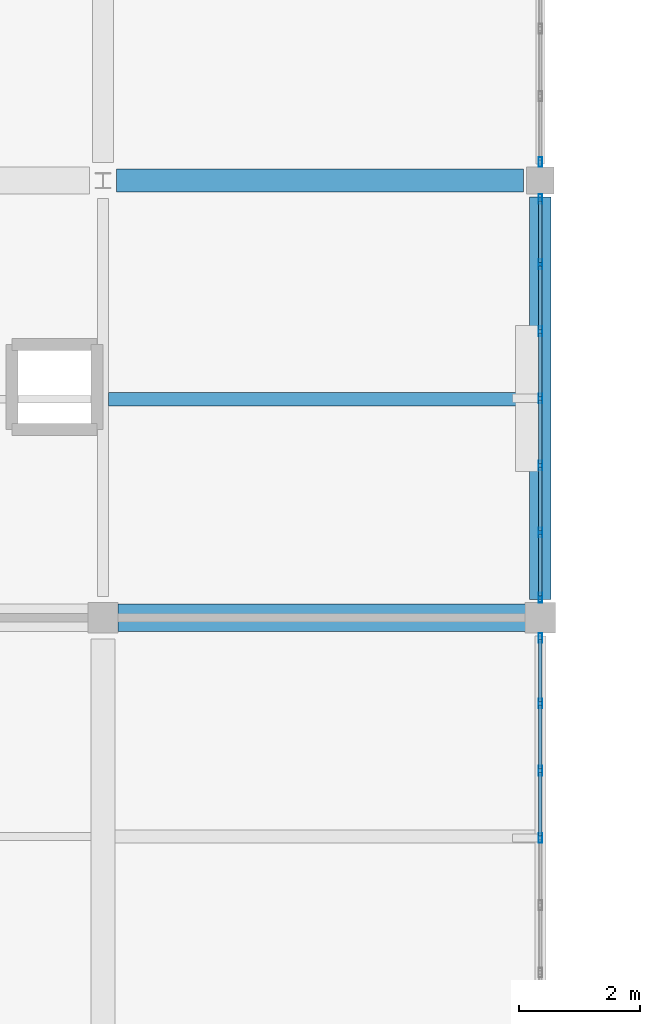
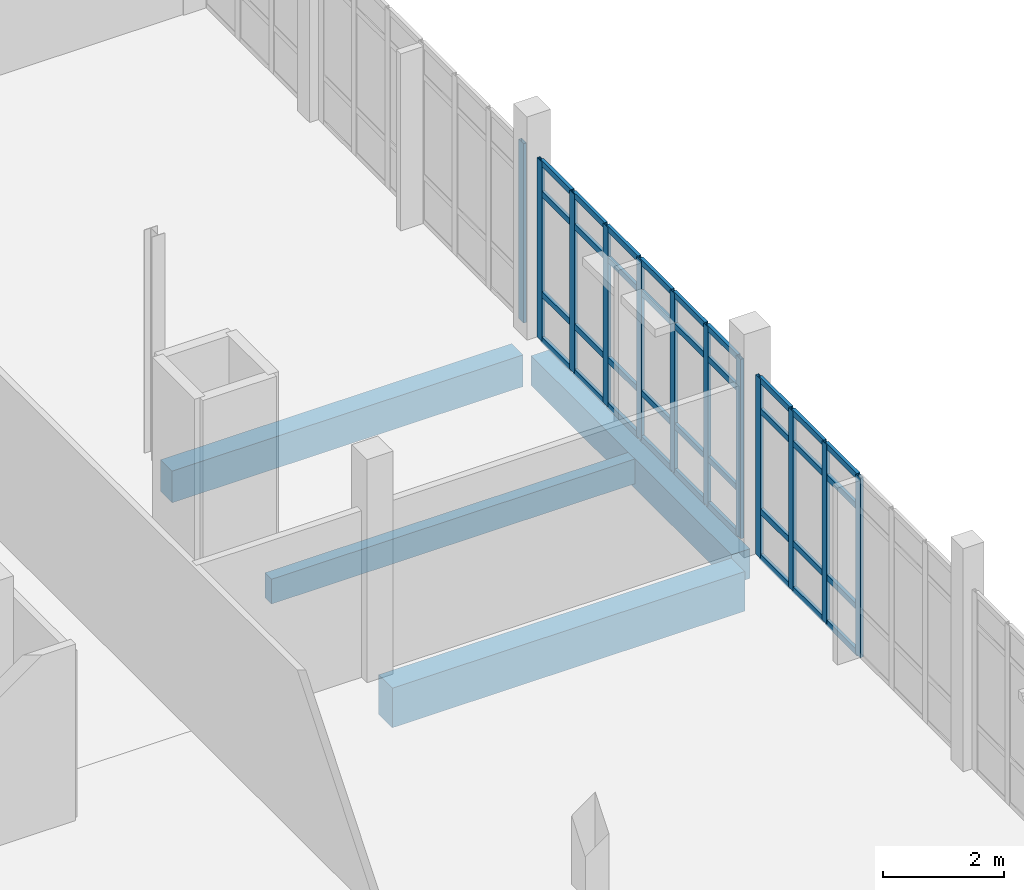
# One storey, part 16 of 62: 48 members, 4 beams, 3 elements without a shape of their own.
"""IFC4 building model written with IfcOpenShell, lengths in metres."""

from ifc_helpers import new_model, si_unit, direction, frame, origin, origin_2d, place, context, subcontext, project, spatial, rectangle, hollow_rectangle, extrude, material, material_profile, profile_set, type_object, element, aggregate, save


model = new_model("IFC4")

# Units and contexts
model_context = context("Model", 3, precision=1e-05, world=origin(), true_north=direction((0.0, 1.0)))
body_context = subcontext(model_context, "Body", "Model", "MODEL_VIEW")
ifc_project = project(units=[si_unit("LENGTHUNIT", "METRE"), si_unit("AREAUNIT", "SQUARE_METRE"), si_unit("VOLUMEUNIT", "CUBIC_METRE"), si_unit("PLANEANGLEUNIT", "RADIAN"), si_unit("MASSUNIT", "GRAM", prefix="KILO")], contexts=[model_context])

# Site, building, storey
site_placement = place(None, origin())
site = spatial("IfcSite", under=ifc_project, at=site_placement, CompositionType="ELEMENT")
building_placement = place(site_placement, origin())
building = spatial("IfcBuilding", under=site, at=building_placement, Name="Kalluvel Institute of Natural Sciences", CompositionType="ELEMENT")
storey_placement = place(building_placement, frame((0.0, 0.0, 27.89990234375)))
storey = spatial("IfcBuildingStorey", under=building, at=storey_placement, Name="L06", CompositionType="ELEMENT", Elevation=27.89990234375)

# Beams
ifc_material_1 = material(Name="Concrete M40", Category="concrete")
ifc_material_profile_1 = material_profile(ifc_material_1, rectangle(XDim=0.35009765625, YDim=0.60009765625, at=origin_2d()), Name="RCB 350x600")
ifc_profile_set_1 = profile_set([ifc_material_profile_1], Name="Concrete M40")
beam_type_1 = type_object("IfcBeamType", Name="BM-RC350x600", PredefinedType="BEAM", material=ifc_profile_set_1)
beam_1_placement = place(storey_placement, frame((35.60009765625, 64.699951171875, -0.599853515625), z_axis=(0.0, 1.0, 0.0), x_axis=(-1.0, 0.0, 0.0)))
element("IfcBeam", 1, at=beam_1_placement, inside=storey, type_object=beam_type_1, Name="L06 girder GIR-L06-NS-X356-Y644", PredefinedType="BEAM", context=body_context, shape_type="SweptSolid", body=[
    extrude(rectangle(XDim=0.35009765625, YDim=0.60009765625, at=origin_2d()), origin(), (0.0, 0.0, 1.0), 6.625),
])
ifc_material_profile_2 = material_profile(ifc_material_1, rectangle(XDim=0.3798828125, YDim=0.639892578125, at=origin_2d()), Name="RCB 380x640")
ifc_profile_set_2 = profile_set([ifc_material_profile_2], Name="Concrete M40")
beam_type_2 = type_object("IfcBeamType", Name="BM-RC380x640", PredefinedType="BEAM", material=ifc_profile_set_2)
beam_2_placement = place(storey_placement, frame((28.625, 71.60009765625, -0.619873046875), z_axis=(1.0, 0.0, 0.0), x_axis=(0.0, 1.0, 0.0)))
element("IfcBeam", 2, at=beam_2_placement, inside=storey, type_object=beam_type_2, Name="L06 girder GIR-L06-EW-X284-Y716", PredefinedType="BEAM", context=body_context, shape_type="SweptSolid", body=[
    extrude(rectangle(XDim=0.3798828125, YDim=0.639892578125, at=origin_2d()), origin(), (0.0, 0.0, 1.0), 6.699951171875),
])
ifc_material_profile_3 = material_profile(ifc_material_1, rectangle(XDim=0.449951171875, YDim=0.800048828125, at=origin_2d()), Name="RCB 450x800")
ifc_profile_set_3 = profile_set([ifc_material_profile_3], Name="Concrete M40")
beam_type_3 = type_object("IfcBeamType", Name="BM-RC450x800", PredefinedType="BEAM", material=ifc_profile_set_3)
beam_3_placement = place(storey_placement, frame((28.64990234375, 64.39990234375, -0.699951171875), z_axis=(1.0, 0.0, 0.0), x_axis=(0.0, 1.0, 0.0)))
element("IfcBeam", 3, at=beam_3_placement, inside=storey, type_object=beam_type_3, Name="L06 girder GIR-L06-EW-X284-Y644", PredefinedType="BEAM", context=body_context, shape_type="SweptSolid", body=[
    extrude(rectangle(XDim=0.449951171875, YDim=0.800048828125, at=origin_2d()), origin(), (0.0, 0.0, 1.0), 6.72509765625),
])

# Curtain wall, members
ifc_material_2 = material(Name="Aluminium AW-6063 T6", Category="aluminium")
curtain_wall_type = type_object("IfcCurtainWallType", Name="CW-DRY-45", PredefinedType="USERDEFINED", material=ifc_material_2)
curtain_wall_1_placement = place(storey_placement, origin())
curtain_wall_1 = element("IfcCurtainWall", 4, at=curtain_wall_1_placement, inside=storey, type_object=curtain_wall_type, Name="L06 Gothic lancet curtain wall CWA-L06-X356-Y574", ObjectType="UNITISED LANCET FACADE", PredefinedType="USERDEFINED")
ifc_material_profile_4 = material_profile(ifc_material_2, hollow_rectangle(XDim=0.06005859375, YDim=0.159912109375, WallThickness=0.00390625, at=origin_2d()), Name="CWM 60x160")
ifc_profile_set_4 = profile_set([ifc_material_profile_4], Name="Aluminium AW-6063 T6")
member_type_1 = type_object("IfcMemberType", Name="CWM-60x160", PredefinedType="MULLION", material=ifc_profile_set_4)
member_1_placement = place(storey_placement, frame((35.60009765625, 60.77490234375, 0.0), z_axis=(0.0, 0.0, 1.0), x_axis=(-1.0, 0.0, 0.0)))
member_1 = element("IfcMember", 5, at=member_1_placement, type_object=member_type_1, Name="CW-03 mullion 4", PredefinedType="MULLION", context=body_context, shape_type="SweptSolid", body=[
    extrude(hollow_rectangle(XDim=0.06005859375, YDim=0.159912109375, WallThickness=0.00390625, at=origin_2d()), origin(), (0.0, 0.0, 1.0), 3.6201171875),
])
member_2_placement = place(storey_placement, frame((35.60009765625, 61.88330078125, 0.0), z_axis=(0.0, 0.0, 1.0), x_axis=(-1.0, 0.0, 0.0)))
member_2 = element("IfcMember", 6, at=member_2_placement, type_object=member_type_1, Name="CW-03 mullion 5", PredefinedType="MULLION", context=body_context, shape_type="SweptSolid", body=[
    extrude(hollow_rectangle(XDim=0.06005859375, YDim=0.159912109375, WallThickness=0.00390625, at=origin_2d()), origin(), (0.0, 0.0, 1.0), 3.6201171875),
])
member_3_placement = place(storey_placement, frame((35.60009765625, 62.99169921875, 0.0), z_axis=(0.0, 0.0, 1.0), x_axis=(-1.0, 0.0, 0.0)))
member_3 = element("IfcMember", 7, at=member_3_placement, type_object=member_type_1, Name="CW-03 mullion 6", PredefinedType="MULLION", context=body_context, shape_type="SweptSolid", body=[
    extrude(hollow_rectangle(XDim=0.06005859375, YDim=0.159912109375, WallThickness=0.00390625, at=origin_2d()), origin(), (0.0, 0.0, 1.0), 3.6201171875),
])
member_4_placement = place(storey_placement, frame((35.60009765625, 64.070068359375, 0.0), z_axis=(0.0, 0.0, 1.0), x_axis=(-1.0, 0.0, 0.0)))
member_4 = element("IfcMember", 8, at=member_4_placement, type_object=member_type_1, Name="CW-03 mullion 7", PredefinedType="MULLION", context=body_context, shape_type="SweptSolid", body=[
    extrude(hollow_rectangle(XDim=0.06005859375, YDim=0.159912109375, WallThickness=0.00390625, at=origin_2d()), origin(), (0.0, 0.0, 1.0), 3.6201171875),
])

curtain_wall_2_placement = place(storey_placement, origin())
curtain_wall_2 = element("IfcCurtainWall", 9, at=curtain_wall_2_placement, inside=storey, type_object=curtain_wall_type, Name="L06 Gothic lancet curtain wall CWA-L06-X356-Y647", ObjectType="UNITISED LANCET FACADE", PredefinedType="USERDEFINED")
member_5_placement = place(storey_placement, frame((35.60009765625, 64.72998046875, 0.0), z_axis=(0.0, 0.0, 1.0), x_axis=(-1.0, 0.0, 0.0)))
member_5 = element("IfcMember", 10, at=member_5_placement, type_object=member_type_1, Name="CW-03 mullion 1", PredefinedType="MULLION", context=body_context, shape_type="SweptSolid", body=[
    extrude(hollow_rectangle(XDim=0.06005859375, YDim=0.159912109375, WallThickness=0.00390625, at=origin_2d()), origin(), (0.0, 0.0, 1.0), 3.6201171875),
])
member_6_placement = place(storey_placement, frame((35.60009765625, 65.80419921875, 0.0), z_axis=(0.0, 0.0, 1.0), x_axis=(-1.0, 0.0, 0.0)))
member_6 = element("IfcMember", 11, at=member_6_placement, type_object=member_type_1, Name="CW-03 mullion 2", PredefinedType="MULLION", context=body_context, shape_type="SweptSolid", body=[
    extrude(hollow_rectangle(XDim=0.06005859375, YDim=0.159912109375, WallThickness=0.00390625, at=origin_2d()), origin(), (0.0, 0.0, 1.0), 3.6201171875),
])
member_7_placement = place(storey_placement, frame((35.60009765625, 66.908447265625, 0.0), z_axis=(0.0, 0.0, 1.0), x_axis=(-1.0, 0.0, 0.0)))
member_7 = element("IfcMember", 12, at=member_7_placement, type_object=member_type_1, Name="CW-03 mullion 3", PredefinedType="MULLION", context=body_context, shape_type="SweptSolid", body=[
    extrude(hollow_rectangle(XDim=0.06005859375, YDim=0.159912109375, WallThickness=0.00390625, at=origin_2d()), origin(), (0.0, 0.0, 1.0), 3.6201171875),
])
member_8_placement = place(storey_placement, frame((35.60009765625, 68.012451171875, 0.0), z_axis=(0.0, 0.0, 1.0), x_axis=(-1.0, 0.0, 0.0)))
member_8 = element("IfcMember", 13, at=member_8_placement, type_object=member_type_1, Name="CW-03 mullion 4", PredefinedType="MULLION", context=body_context, shape_type="SweptSolid", body=[
    extrude(hollow_rectangle(XDim=0.06005859375, YDim=0.159912109375, WallThickness=0.00390625, at=origin_2d()), origin(), (0.0, 0.0, 1.0), 3.6201171875),
])
member_9_placement = place(storey_placement, frame((35.60009765625, 69.11669921875, 0.0), z_axis=(0.0, 0.0, 1.0), x_axis=(-1.0, 0.0, 0.0)))
member_9 = element("IfcMember", 14, at=member_9_placement, type_object=member_type_1, Name="CW-03 mullion 5", PredefinedType="MULLION", context=body_context, shape_type="SweptSolid", body=[
    extrude(hollow_rectangle(XDim=0.06005859375, YDim=0.159912109375, WallThickness=0.00390625, at=origin_2d()), origin(), (0.0, 0.0, 1.0), 3.6201171875),
])
member_10_placement = place(storey_placement, frame((35.60009765625, 70.220947265625, 0.0), z_axis=(0.0, 0.0, 1.0), x_axis=(-1.0, 0.0, 0.0)))
member_10 = element("IfcMember", 15, at=member_10_placement, type_object=member_type_1, Name="CW-03 mullion 6", PredefinedType="MULLION", context=body_context, shape_type="SweptSolid", body=[
    extrude(hollow_rectangle(XDim=0.06005859375, YDim=0.159912109375, WallThickness=0.00390625, at=origin_2d()), origin(), (0.0, 0.0, 1.0), 3.6201171875),
])
member_11_placement = place(storey_placement, frame((35.60009765625, 71.294921875, 0.0), z_axis=(0.0, 0.0, 1.0), x_axis=(-1.0, 0.0, 0.0)))
member_11 = element("IfcMember", 16, at=member_11_placement, type_object=member_type_1, Name="CW-03 mullion 7", PredefinedType="MULLION", context=body_context, shape_type="SweptSolid", body=[
    extrude(hollow_rectangle(XDim=0.06005859375, YDim=0.159912109375, WallThickness=0.00390625, at=origin_2d()), origin(), (0.0, 0.0, 1.0), 3.6201171875),
])

# Curtain wall, member
curtain_wall_3_placement = place(storey_placement, origin())
curtain_wall_3 = element("IfcCurtainWall", 17, at=curtain_wall_3_placement, inside=storey, type_object=curtain_wall_type, Name="L06 Gothic lancet curtain wall CWA-L06-X356-Y719", ObjectType="UNITISED LANCET FACADE", PredefinedType="USERDEFINED")
member_12_placement = place(storey_placement, frame((35.60009765625, 71.905029296875, 0.0), z_axis=(0.0, 0.0, 1.0), x_axis=(-1.0, 0.0, 0.0)))
member_12 = element("IfcMember", 18, at=member_12_placement, type_object=member_type_1, Name="CW-03 mullion 1", PredefinedType="MULLION", context=body_context, shape_type="SweptSolid", body=[
    extrude(hollow_rectangle(XDim=0.06005859375, YDim=0.159912109375, WallThickness=0.00390625, at=origin_2d()), origin(), (0.0, 0.0, 1.0), 3.6201171875),
])
aggregate(curtain_wall_3, [member_12])

# Member
ifc_material_profile_5 = material_profile(ifc_material_2, hollow_rectangle(XDim=0.06005859375, YDim=0.1201171875, WallThickness=0.00390625, at=origin_2d()), Name="CWT 60x120")
ifc_profile_set_5 = profile_set([ifc_material_profile_5], Name="Aluminium AW-6063 T6")
member_type_2 = type_object("IfcMemberType", Name="CWT-60x120", PredefinedType="USERDEFINED", material=ifc_profile_set_5)
member_13_placement = place(storey_placement, frame((35.60009765625, 60.804931640625, 0.030029296875), z_axis=(0.0, 1.0, 0.0), x_axis=(-1.0, 0.0, 0.0)))
member_13 = element("IfcMember", 19, at=member_13_placement, type_object=member_type_2, Name="CW-03 transom 4.1", ObjectType="TRANSOM", PredefinedType="USERDEFINED", context=body_context, shape_type="SweptSolid", body=[
    extrude(hollow_rectangle(XDim=0.06005859375, YDim=0.1201171875, WallThickness=0.00390625, at=origin_2d()), origin(), (0.0, 0.0, 1.0), 1.04833984375),
])

member_14_placement = place(storey_placement, frame((35.60009765625, 60.804931640625, 0.9501953125), z_axis=(0.0, 1.0, 0.0), x_axis=(-1.0, 0.0, 0.0)))
member_14 = element("IfcMember", 20, at=member_14_placement, type_object=member_type_2, Name="CW-03 transom 4.2", ObjectType="TRANSOM", PredefinedType="USERDEFINED", context=body_context, shape_type="SweptSolid", body=[
    extrude(hollow_rectangle(XDim=0.06005859375, YDim=0.1201171875, WallThickness=0.00390625, at=origin_2d()), origin(), (0.0, 0.0, 1.0), 1.04833984375),
])

member_15_placement = place(storey_placement, frame((35.60009765625, 60.804931640625, 2.97021484375), z_axis=(0.0, 1.0, 0.0), x_axis=(-1.0, 0.0, 0.0)))
member_15 = element("IfcMember", 21, at=member_15_placement, type_object=member_type_2, Name="CW-03 transom 4.3", ObjectType="TRANSOM", PredefinedType="USERDEFINED", context=body_context, shape_type="SweptSolid", body=[
    extrude(hollow_rectangle(XDim=0.06005859375, YDim=0.1201171875, WallThickness=0.00390625, at=origin_2d()), origin(), (0.0, 0.0, 1.0), 1.04833984375),
])

member_16_placement = place(storey_placement, frame((35.60009765625, 60.804931640625, 3.590087890625), z_axis=(0.0, 1.0, 0.0), x_axis=(-1.0, 0.0, 0.0)))
member_16 = element("IfcMember", 22, at=member_16_placement, type_object=member_type_2, Name="CW-03 transom 4.4", ObjectType="TRANSOM", PredefinedType="USERDEFINED", context=body_context, shape_type="SweptSolid", body=[
    extrude(hollow_rectangle(XDim=0.06005859375, YDim=0.1201171875, WallThickness=0.00390625, at=origin_2d()), origin(), (0.0, 0.0, 1.0), 1.04833984375),
])

member_17_placement = place(storey_placement, frame((35.60009765625, 61.913330078125, 0.030029296875), z_axis=(0.0, 1.0, 0.0), x_axis=(-1.0, 0.0, 0.0)))
member_17 = element("IfcMember", 23, at=member_17_placement, type_object=member_type_2, Name="CW-03 transom 5.1", ObjectType="TRANSOM", PredefinedType="USERDEFINED", context=body_context, shape_type="SweptSolid", body=[
    extrude(hollow_rectangle(XDim=0.06005859375, YDim=0.1201171875, WallThickness=0.00390625, at=origin_2d()), origin(), (0.0, 0.0, 1.0), 1.04833984375),
])

member_18_placement = place(storey_placement, frame((35.60009765625, 61.913330078125, 0.9501953125), z_axis=(0.0, 1.0, 0.0), x_axis=(-1.0, 0.0, 0.0)))
member_18 = element("IfcMember", 24, at=member_18_placement, type_object=member_type_2, Name="CW-03 transom 5.2", ObjectType="TRANSOM", PredefinedType="USERDEFINED", context=body_context, shape_type="SweptSolid", body=[
    extrude(hollow_rectangle(XDim=0.06005859375, YDim=0.1201171875, WallThickness=0.00390625, at=origin_2d()), origin(), (0.0, 0.0, 1.0), 1.04833984375),
])

member_19_placement = place(storey_placement, frame((35.60009765625, 61.913330078125, 2.97021484375), z_axis=(0.0, 1.0, 0.0), x_axis=(-1.0, 0.0, 0.0)))
member_19 = element("IfcMember", 25, at=member_19_placement, type_object=member_type_2, Name="CW-03 transom 5.3", ObjectType="TRANSOM", PredefinedType="USERDEFINED", context=body_context, shape_type="SweptSolid", body=[
    extrude(hollow_rectangle(XDim=0.06005859375, YDim=0.1201171875, WallThickness=0.00390625, at=origin_2d()), origin(), (0.0, 0.0, 1.0), 1.04833984375),
])

member_20_placement = place(storey_placement, frame((35.60009765625, 61.913330078125, 3.590087890625), z_axis=(0.0, 1.0, 0.0), x_axis=(-1.0, 0.0, 0.0)))
member_20 = element("IfcMember", 26, at=member_20_placement, type_object=member_type_2, Name="CW-03 transom 5.4", ObjectType="TRANSOM", PredefinedType="USERDEFINED", context=body_context, shape_type="SweptSolid", body=[
    extrude(hollow_rectangle(XDim=0.06005859375, YDim=0.1201171875, WallThickness=0.00390625, at=origin_2d()), origin(), (0.0, 0.0, 1.0), 1.04833984375),
])

member_21_placement = place(storey_placement, frame((35.60009765625, 63.021728515625, 0.030029296875), z_axis=(0.0, 1.0, 0.0), x_axis=(-1.0, 0.0, 0.0)))
member_21 = element("IfcMember", 27, at=member_21_placement, type_object=member_type_2, Name="CW-03 transom 6.1", ObjectType="TRANSOM", PredefinedType="USERDEFINED", context=body_context, shape_type="SweptSolid", body=[
    extrude(hollow_rectangle(XDim=0.06005859375, YDim=0.1201171875, WallThickness=0.00390625, at=origin_2d()), origin(), (0.0, 0.0, 1.0), 1.018310546875),
])

member_22_placement = place(storey_placement, frame((35.60009765625, 63.021728515625, 0.9501953125), z_axis=(0.0, 1.0, 0.0), x_axis=(-1.0, 0.0, 0.0)))
member_22 = element("IfcMember", 28, at=member_22_placement, type_object=member_type_2, Name="CW-03 transom 6.2", ObjectType="TRANSOM", PredefinedType="USERDEFINED", context=body_context, shape_type="SweptSolid", body=[
    extrude(hollow_rectangle(XDim=0.06005859375, YDim=0.1201171875, WallThickness=0.00390625, at=origin_2d()), origin(), (0.0, 0.0, 1.0), 1.018310546875),
])

member_23_placement = place(storey_placement, frame((35.60009765625, 63.021728515625, 2.97021484375), z_axis=(0.0, 1.0, 0.0), x_axis=(-1.0, 0.0, 0.0)))
member_23 = element("IfcMember", 29, at=member_23_placement, type_object=member_type_2, Name="CW-03 transom 6.3", ObjectType="TRANSOM", PredefinedType="USERDEFINED", context=body_context, shape_type="SweptSolid", body=[
    extrude(hollow_rectangle(XDim=0.06005859375, YDim=0.1201171875, WallThickness=0.00390625, at=origin_2d()), origin(), (0.0, 0.0, 1.0), 1.018310546875),
])

member_24_placement = place(storey_placement, frame((35.60009765625, 63.021728515625, 3.590087890625), z_axis=(0.0, 1.0, 0.0), x_axis=(-1.0, 0.0, 0.0)))
member_24 = element("IfcMember", 30, at=member_24_placement, type_object=member_type_2, Name="CW-03 transom 6.4", ObjectType="TRANSOM", PredefinedType="USERDEFINED", context=body_context, shape_type="SweptSolid", body=[
    extrude(hollow_rectangle(XDim=0.06005859375, YDim=0.1201171875, WallThickness=0.00390625, at=origin_2d()), origin(), (0.0, 0.0, 1.0), 1.018310546875),
])

aggregate(curtain_wall_1, [member_1, member_2, member_3, member_4, member_13, member_14, member_15, member_16, member_17, member_18, member_19, member_20, member_21, member_22, member_23, member_24])

member_25_placement = place(storey_placement, frame((35.60009765625, 64.760009765625, 0.030029296875), z_axis=(0.0, 1.0, 0.0), x_axis=(-1.0, 0.0, 0.0)))
member_25 = element("IfcMember", 31, at=member_25_placement, type_object=member_type_2, Name="CW-03 transom 1.1", ObjectType="TRANSOM", PredefinedType="USERDEFINED", context=body_context, shape_type="SweptSolid", body=[
    extrude(hollow_rectangle(XDim=0.06005859375, YDim=0.1201171875, WallThickness=0.00390625, at=origin_2d()), origin(), (0.0, 0.0, 1.0), 1.01416015625),
])

member_26_placement = place(storey_placement, frame((35.60009765625, 64.760009765625, 0.9501953125), z_axis=(0.0, 1.0, 0.0), x_axis=(-1.0, 0.0, 0.0)))
member_26 = element("IfcMember", 32, at=member_26_placement, type_object=member_type_2, Name="CW-03 transom 1.2", ObjectType="TRANSOM", PredefinedType="USERDEFINED", context=body_context, shape_type="SweptSolid", body=[
    extrude(hollow_rectangle(XDim=0.06005859375, YDim=0.1201171875, WallThickness=0.00390625, at=origin_2d()), origin(), (0.0, 0.0, 1.0), 1.01416015625),
])

member_27_placement = place(storey_placement, frame((35.60009765625, 64.760009765625, 2.97021484375), z_axis=(0.0, 1.0, 0.0), x_axis=(-1.0, 0.0, 0.0)))
member_27 = element("IfcMember", 33, at=member_27_placement, type_object=member_type_2, Name="CW-03 transom 1.3", ObjectType="TRANSOM", PredefinedType="USERDEFINED", context=body_context, shape_type="SweptSolid", body=[
    extrude(hollow_rectangle(XDim=0.06005859375, YDim=0.1201171875, WallThickness=0.00390625, at=origin_2d()), origin(), (0.0, 0.0, 1.0), 1.01416015625),
])

member_28_placement = place(storey_placement, frame((35.60009765625, 64.760009765625, 3.590087890625), z_axis=(0.0, 1.0, 0.0), x_axis=(-1.0, 0.0, 0.0)))
member_28 = element("IfcMember", 34, at=member_28_placement, type_object=member_type_2, Name="CW-03 transom 1.4", ObjectType="TRANSOM", PredefinedType="USERDEFINED", context=body_context, shape_type="SweptSolid", body=[
    extrude(hollow_rectangle(XDim=0.06005859375, YDim=0.1201171875, WallThickness=0.00390625, at=origin_2d()), origin(), (0.0, 0.0, 1.0), 1.01416015625),
])

member_29_placement = place(storey_placement, frame((35.60009765625, 65.834228515625, 0.030029296875), z_axis=(0.0, 1.0, 0.0), x_axis=(-1.0, 0.0, 0.0)))
member_29 = element("IfcMember", 35, at=member_29_placement, type_object=member_type_2, Name="CW-03 transom 2.1", ObjectType="TRANSOM", PredefinedType="USERDEFINED", context=body_context, shape_type="SweptSolid", body=[
    extrude(hollow_rectangle(XDim=0.06005859375, YDim=0.1201171875, WallThickness=0.00390625, at=origin_2d()), origin(), (0.0, 0.0, 1.0), 1.044189453125),
])

member_30_placement = place(storey_placement, frame((35.60009765625, 65.834228515625, 0.9501953125), z_axis=(0.0, 1.0, 0.0), x_axis=(-1.0, 0.0, 0.0)))
member_30 = element("IfcMember", 36, at=member_30_placement, type_object=member_type_2, Name="CW-03 transom 2.2", ObjectType="TRANSOM", PredefinedType="USERDEFINED", context=body_context, shape_type="SweptSolid", body=[
    extrude(hollow_rectangle(XDim=0.06005859375, YDim=0.1201171875, WallThickness=0.00390625, at=origin_2d()), origin(), (0.0, 0.0, 1.0), 1.044189453125),
])

member_31_placement = place(storey_placement, frame((35.60009765625, 65.834228515625, 2.97021484375), z_axis=(0.0, 1.0, 0.0), x_axis=(-1.0, 0.0, 0.0)))
member_31 = element("IfcMember", 37, at=member_31_placement, type_object=member_type_2, Name="CW-03 transom 2.3", ObjectType="TRANSOM", PredefinedType="USERDEFINED", context=body_context, shape_type="SweptSolid", body=[
    extrude(hollow_rectangle(XDim=0.06005859375, YDim=0.1201171875, WallThickness=0.00390625, at=origin_2d()), origin(), (0.0, 0.0, 1.0), 1.044189453125),
])

member_32_placement = place(storey_placement, frame((35.60009765625, 65.834228515625, 3.590087890625), z_axis=(0.0, 1.0, 0.0), x_axis=(-1.0, 0.0, 0.0)))
member_32 = element("IfcMember", 38, at=member_32_placement, type_object=member_type_2, Name="CW-03 transom 2.4", ObjectType="TRANSOM", PredefinedType="USERDEFINED", context=body_context, shape_type="SweptSolid", body=[
    extrude(hollow_rectangle(XDim=0.06005859375, YDim=0.1201171875, WallThickness=0.00390625, at=origin_2d()), origin(), (0.0, 0.0, 1.0), 1.044189453125),
])

member_33_placement = place(storey_placement, frame((35.60009765625, 66.938232421875, 0.030029296875), z_axis=(0.0, 1.0, 0.0), x_axis=(-1.0, 0.0, 0.0)))
member_33 = element("IfcMember", 39, at=member_33_placement, type_object=member_type_2, Name="CW-03 transom 3.1", ObjectType="TRANSOM", PredefinedType="USERDEFINED", context=body_context, shape_type="SweptSolid", body=[
    extrude(hollow_rectangle(XDim=0.06005859375, YDim=0.1201171875, WallThickness=0.00390625, at=origin_2d()), origin(), (0.0, 0.0, 1.0), 1.044189453125),
])

member_34_placement = place(storey_placement, frame((35.60009765625, 66.938232421875, 0.9501953125), z_axis=(0.0, 1.0, 0.0), x_axis=(-1.0, 0.0, 0.0)))
member_34 = element("IfcMember", 40, at=member_34_placement, type_object=member_type_2, Name="CW-03 transom 3.2", ObjectType="TRANSOM", PredefinedType="USERDEFINED", context=body_context, shape_type="SweptSolid", body=[
    extrude(hollow_rectangle(XDim=0.06005859375, YDim=0.1201171875, WallThickness=0.00390625, at=origin_2d()), origin(), (0.0, 0.0, 1.0), 1.044189453125),
])

member_35_placement = place(storey_placement, frame((35.60009765625, 66.938232421875, 2.97021484375), z_axis=(0.0, 1.0, 0.0), x_axis=(-1.0, 0.0, 0.0)))
member_35 = element("IfcMember", 41, at=member_35_placement, type_object=member_type_2, Name="CW-03 transom 3.3", ObjectType="TRANSOM", PredefinedType="USERDEFINED", context=body_context, shape_type="SweptSolid", body=[
    extrude(hollow_rectangle(XDim=0.06005859375, YDim=0.1201171875, WallThickness=0.00390625, at=origin_2d()), origin(), (0.0, 0.0, 1.0), 1.044189453125),
])

member_36_placement = place(storey_placement, frame((35.60009765625, 66.938232421875, 3.590087890625), z_axis=(0.0, 1.0, 0.0), x_axis=(-1.0, 0.0, 0.0)))
member_36 = element("IfcMember", 42, at=member_36_placement, type_object=member_type_2, Name="CW-03 transom 3.4", ObjectType="TRANSOM", PredefinedType="USERDEFINED", context=body_context, shape_type="SweptSolid", body=[
    extrude(hollow_rectangle(XDim=0.06005859375, YDim=0.1201171875, WallThickness=0.00390625, at=origin_2d()), origin(), (0.0, 0.0, 1.0), 1.044189453125),
])

member_37_placement = place(storey_placement, frame((35.60009765625, 68.04248046875, 0.030029296875), z_axis=(0.0, 1.0, 0.0), x_axis=(-1.0, 0.0, 0.0)))
member_37 = element("IfcMember", 43, at=member_37_placement, type_object=member_type_2, Name="CW-03 transom 4.1", ObjectType="TRANSOM", PredefinedType="USERDEFINED", context=body_context, shape_type="SweptSolid", body=[
    extrude(hollow_rectangle(XDim=0.06005859375, YDim=0.1201171875, WallThickness=0.00390625, at=origin_2d()), origin(), (0.0, 0.0, 1.0), 1.044189453125),
])

member_38_placement = place(storey_placement, frame((35.60009765625, 68.04248046875, 0.9501953125), z_axis=(0.0, 1.0, 0.0), x_axis=(-1.0, 0.0, 0.0)))
member_38 = element("IfcMember", 44, at=member_38_placement, type_object=member_type_2, Name="CW-03 transom 4.2", ObjectType="TRANSOM", PredefinedType="USERDEFINED", context=body_context, shape_type="SweptSolid", body=[
    extrude(hollow_rectangle(XDim=0.06005859375, YDim=0.1201171875, WallThickness=0.00390625, at=origin_2d()), origin(), (0.0, 0.0, 1.0), 1.044189453125),
])

member_39_placement = place(storey_placement, frame((35.60009765625, 68.04248046875, 2.97021484375), z_axis=(0.0, 1.0, 0.0), x_axis=(-1.0, 0.0, 0.0)))
member_39 = element("IfcMember", 45, at=member_39_placement, type_object=member_type_2, Name="CW-03 transom 4.3", ObjectType="TRANSOM", PredefinedType="USERDEFINED", context=body_context, shape_type="SweptSolid", body=[
    extrude(hollow_rectangle(XDim=0.06005859375, YDim=0.1201171875, WallThickness=0.00390625, at=origin_2d()), origin(), (0.0, 0.0, 1.0), 1.044189453125),
])

member_40_placement = place(storey_placement, frame((35.60009765625, 68.04248046875, 3.590087890625), z_axis=(0.0, 1.0, 0.0), x_axis=(-1.0, 0.0, 0.0)))
member_40 = element("IfcMember", 46, at=member_40_placement, type_object=member_type_2, Name="CW-03 transom 4.4", ObjectType="TRANSOM", PredefinedType="USERDEFINED", context=body_context, shape_type="SweptSolid", body=[
    extrude(hollow_rectangle(XDim=0.06005859375, YDim=0.1201171875, WallThickness=0.00390625, at=origin_2d()), origin(), (0.0, 0.0, 1.0), 1.044189453125),
])

member_41_placement = place(storey_placement, frame((35.60009765625, 69.146728515625, 0.030029296875), z_axis=(0.0, 1.0, 0.0), x_axis=(-1.0, 0.0, 0.0)))
member_41 = element("IfcMember", 47, at=member_41_placement, type_object=member_type_2, Name="CW-03 transom 5.1", ObjectType="TRANSOM", PredefinedType="USERDEFINED", context=body_context, shape_type="SweptSolid", body=[
    extrude(hollow_rectangle(XDim=0.06005859375, YDim=0.1201171875, WallThickness=0.00390625, at=origin_2d()), origin(), (0.0, 0.0, 1.0), 1.044189453125),
])

member_42_placement = place(storey_placement, frame((35.60009765625, 69.146728515625, 0.9501953125), z_axis=(0.0, 1.0, 0.0), x_axis=(-1.0, 0.0, 0.0)))
member_42 = element("IfcMember", 48, at=member_42_placement, type_object=member_type_2, Name="CW-03 transom 5.2", ObjectType="TRANSOM", PredefinedType="USERDEFINED", context=body_context, shape_type="SweptSolid", body=[
    extrude(hollow_rectangle(XDim=0.06005859375, YDim=0.1201171875, WallThickness=0.00390625, at=origin_2d()), origin(), (0.0, 0.0, 1.0), 1.044189453125),
])

member_43_placement = place(storey_placement, frame((35.60009765625, 69.146728515625, 2.97021484375), z_axis=(0.0, 1.0, 0.0), x_axis=(-1.0, 0.0, 0.0)))
member_43 = element("IfcMember", 49, at=member_43_placement, type_object=member_type_2, Name="CW-03 transom 5.3", ObjectType="TRANSOM", PredefinedType="USERDEFINED", context=body_context, shape_type="SweptSolid", body=[
    extrude(hollow_rectangle(XDim=0.06005859375, YDim=0.1201171875, WallThickness=0.00390625, at=origin_2d()), origin(), (0.0, 0.0, 1.0), 1.044189453125),
])

member_44_placement = place(storey_placement, frame((35.60009765625, 69.146728515625, 3.590087890625), z_axis=(0.0, 1.0, 0.0), x_axis=(-1.0, 0.0, 0.0)))
member_44 = element("IfcMember", 50, at=member_44_placement, type_object=member_type_2, Name="CW-03 transom 5.4", ObjectType="TRANSOM", PredefinedType="USERDEFINED", context=body_context, shape_type="SweptSolid", body=[
    extrude(hollow_rectangle(XDim=0.06005859375, YDim=0.1201171875, WallThickness=0.00390625, at=origin_2d()), origin(), (0.0, 0.0, 1.0), 1.044189453125),
])

member_45_placement = place(storey_placement, frame((35.60009765625, 70.250732421875, 0.030029296875), z_axis=(0.0, 1.0, 0.0), x_axis=(-1.0, 0.0, 0.0)))
member_45 = element("IfcMember", 51, at=member_45_placement, type_object=member_type_2, Name="CW-03 transom 6.1", ObjectType="TRANSOM", PredefinedType="USERDEFINED", context=body_context, shape_type="SweptSolid", body=[
    extrude(hollow_rectangle(XDim=0.06005859375, YDim=0.1201171875, WallThickness=0.00390625, at=origin_2d()), origin(), (0.0, 0.0, 1.0), 1.01416015625),
])

member_46_placement = place(storey_placement, frame((35.60009765625, 70.250732421875, 0.9501953125), z_axis=(0.0, 1.0, 0.0), x_axis=(-1.0, 0.0, 0.0)))
member_46 = element("IfcMember", 52, at=member_46_placement, type_object=member_type_2, Name="CW-03 transom 6.2", ObjectType="TRANSOM", PredefinedType="USERDEFINED", context=body_context, shape_type="SweptSolid", body=[
    extrude(hollow_rectangle(XDim=0.06005859375, YDim=0.1201171875, WallThickness=0.00390625, at=origin_2d()), origin(), (0.0, 0.0, 1.0), 1.01416015625),
])

member_47_placement = place(storey_placement, frame((35.60009765625, 70.250732421875, 2.97021484375), z_axis=(0.0, 1.0, 0.0), x_axis=(-1.0, 0.0, 0.0)))
member_47 = element("IfcMember", 53, at=member_47_placement, type_object=member_type_2, Name="CW-03 transom 6.3", ObjectType="TRANSOM", PredefinedType="USERDEFINED", context=body_context, shape_type="SweptSolid", body=[
    extrude(hollow_rectangle(XDim=0.06005859375, YDim=0.1201171875, WallThickness=0.00390625, at=origin_2d()), origin(), (0.0, 0.0, 1.0), 1.01416015625),
])

member_48_placement = place(storey_placement, frame((35.60009765625, 70.250732421875, 3.590087890625), z_axis=(0.0, 1.0, 0.0), x_axis=(-1.0, 0.0, 0.0)))
member_48 = element("IfcMember", 54, at=member_48_placement, type_object=member_type_2, Name="CW-03 transom 6.4", ObjectType="TRANSOM", PredefinedType="USERDEFINED", context=body_context, shape_type="SweptSolid", body=[
    extrude(hollow_rectangle(XDim=0.06005859375, YDim=0.1201171875, WallThickness=0.00390625, at=origin_2d()), origin(), (0.0, 0.0, 1.0), 1.01416015625),
])

aggregate(curtain_wall_2, [member_5, member_6, member_7, member_8, member_9, member_10, member_11, member_25, member_26, member_27, member_28, member_29, member_30, member_31, member_32, member_33, member_34, member_35, member_36, member_37, member_38, member_39, member_40, member_41, member_42, member_43, member_44, member_45, member_46, member_47, member_48])

# Beam
ifc_material_profile_6 = material_profile(ifc_material_1, rectangle(XDim=0.219970703125, YDim=0.5, at=origin_2d()), Name="WAF 220x500")
ifc_profile_set_6 = profile_set([ifc_material_profile_6], Name="Concrete M40")
beam_type_4 = type_object("IfcBeamType", Name="WJ-220x500", PredefinedType="JOIST", material=ifc_profile_set_6)
beam_4_placement = place(storey_placement, frame((28.489990234375, 68.0, -0.5498046875), z_axis=(1.0, 0.0, 0.0), x_axis=(0.0, 1.0, 0.0)))
element("IfcBeam", 55, at=beam_4_placement, inside=storey, type_object=beam_type_4, Name="L06 floor rib RIB-L06-0769", PredefinedType="JOIST", context=body_context, shape_type="SweptSolid", body=[
    extrude(rectangle(XDim=0.219970703125, YDim=0.5, at=origin_2d()), origin(), (0.0, 0.0, 1.0), 6.93505859375),
])

save(model, "model.ifc")
